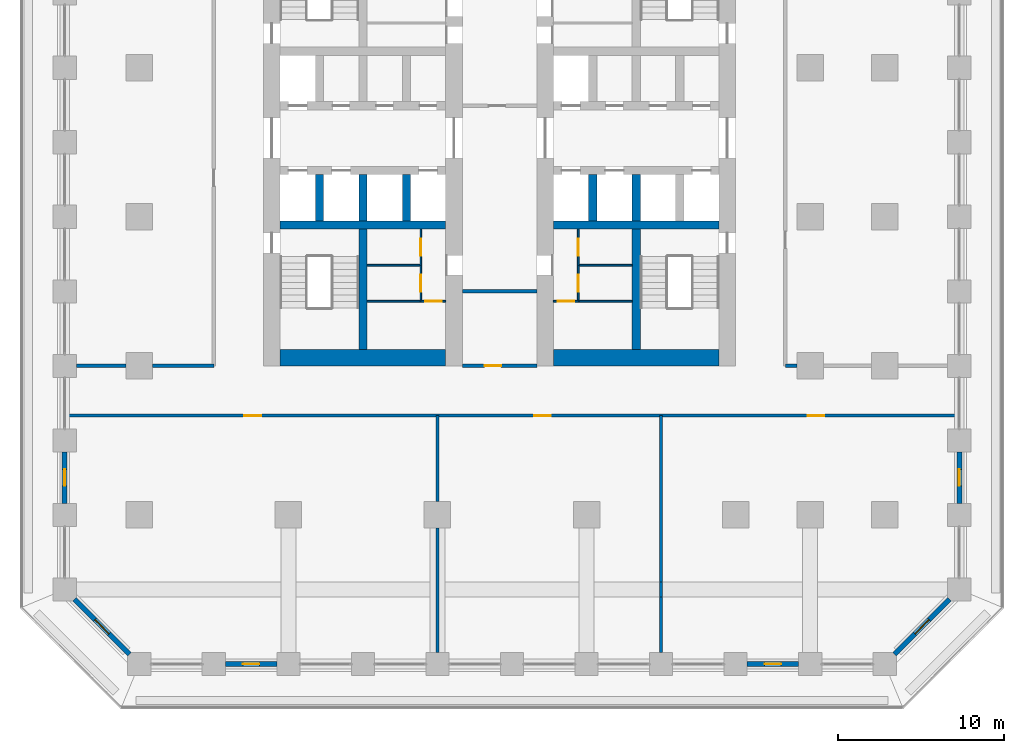
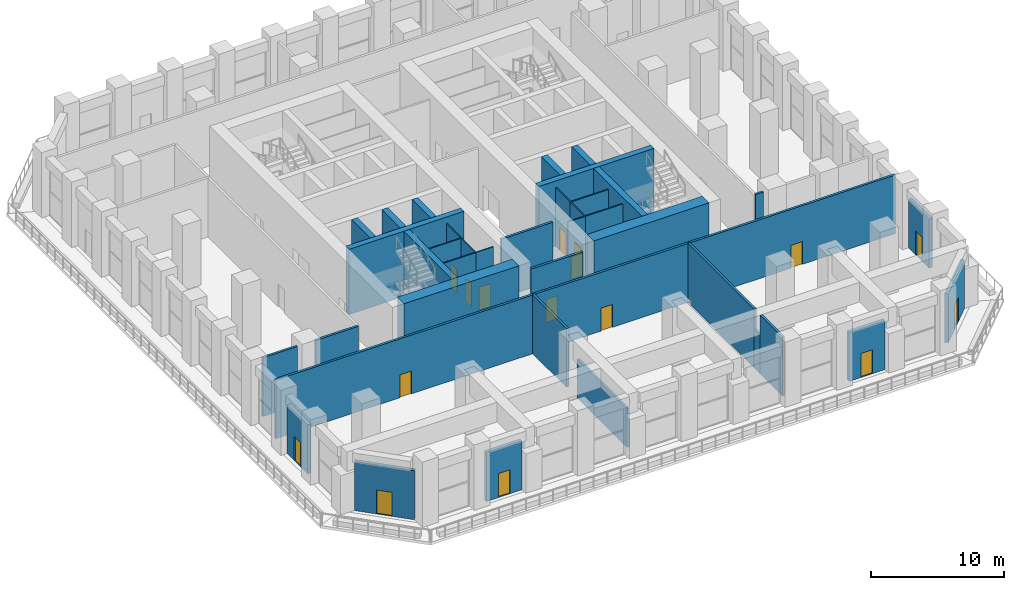
# One storey, part 11 of 19: 38 walls, 16 doors, 16 openings.
"""IFC4 building model written with IfcOpenShell, lengths in metres."""

from ifc_helpers import new_model, si_unit, direction, frame, frame_2d, origin, place, context, subcontext, project, spatial, rectangle, extrude, material, layer, layer_set, type_object, element, fill, save


model = new_model("IFC4")

# Units and contexts
model_context = context("Model", 3, precision=1e-05, world=origin(), true_north=direction((0.0, 1.0)))
body_context = subcontext(model_context, "Body", "Model", "MODEL_VIEW")
ifc_project = project(units=[si_unit("LENGTHUNIT", "METRE"), si_unit("AREAUNIT", "SQUARE_METRE"), si_unit("VOLUMEUNIT", "CUBIC_METRE"), si_unit("PLANEANGLEUNIT", "RADIAN"), si_unit("MASSUNIT", "GRAM", prefix="KILO")], contexts=[model_context])

# Site, building, storey
site_placement = place(None, origin())
site = spatial("IfcSite", under=ifc_project, at=site_placement, CompositionType="ELEMENT")
building_placement = place(site_placement, origin())
building = spatial("IfcBuilding", under=site, at=building_placement, Name="Corbel Stack Research Tower", CompositionType="ELEMENT")
storey_placement = place(building_placement, frame((0.0, 0.0, 70.60009765625)))
storey = spatial("IfcBuildingStorey", under=building, at=storey_placement, Name="L16", CompositionType="ELEMENT", Elevation=70.60009765625)

# Walls
ifc_material_1 = material(Name="Concrete C70/85", Category="concrete")
ifc_layer_1 = layer(ifc_material_1, 1.0)
ifc_layer_set_1 = layer_set([ifc_layer_1], Name="Concrete C70/85")
wall_type_1 = type_object("IfcWallType", Name="CW-1000-70", PredefinedType="SHEAR", material=ifc_layer_set_1)
for number, where, z_axis, x_axis, name in (
    (1, (-9.5, -8.5, 0.0), (0.0, 0.0, 1.0), (1.0, 0.0, 0.0), "West core wall, south end L16"),
    (2, (7.0, -8.5, 0.0), (0.0, 0.0, 1.0), (1.0, 0.0, 0.0), "East core wall, south end L16"),
):
    element("IfcWall", number, at=place(storey_placement, frame(where, z_axis=z_axis, x_axis=x_axis)), inside=storey, type_object=wall_type_1, Name=name, PredefinedType="SHEAR", context=body_context, shape_type="SweptSolid", body=[
        extrude(rectangle(XDim=10.0, YDim=1.0, at=frame_2d((5.0, 0.0))), origin(), (0.0, 0.0, 1.0), 6.0),
    ])
ifc_material_2 = material(Name="Concrete C70/85", Category="concrete")
ifc_layer_2 = layer(ifc_material_2, 0.5)
ifc_layer_set_2 = layer_set([ifc_layer_2], Name="Concrete C70/85")
wall_type_2 = type_object("IfcWallType", Name="CW-500-70", PredefinedType="SHEAR", material=ifc_layer_set_2)
wall_1_placement = place(storey_placement, frame((-9.5, -0.5, 0.0), z_axis=(0.0, 0.0, 1.0), x_axis=(1.0, 0.0, 0.0)))
element("IfcWall", 3, at=wall_1_placement, inside=storey, type_object=wall_type_2, Name="West core wall, south row back L16", PredefinedType="SHEAR", context=body_context, shape_type="SweptSolid", body=[
    extrude(rectangle(XDim=10.0, YDim=0.5, at=frame_2d((5.0, 0.0))), origin(), (0.0, 0.0, 1.0), 6.0),
])
for number, where, z_axis, x_axis, name in (
    (4, (-7.125, -0.25, 0.0), (0.0, 0.0, 1.0), (0.0, 1.0, 0.0), "West core wall, south shaft 1 L16"),
    (5, (-4.5, -0.25, 0.0), (0.0, 0.0, 1.0), (0.0, 1.0, 0.0), "West core wall, south shaft 2 L16"),
    (6, (-1.875, -0.25, 0.0), (0.0, 0.0, 1.0), (0.0, 1.0, 0.0), "West core wall, south shaft 3 L16"),
):
    element("IfcWall", number, at=place(storey_placement, frame(where, z_axis=z_axis, x_axis=x_axis)), inside=storey, type_object=wall_type_2, Name=name, PredefinedType="SHEAR", context=body_context, shape_type="SweptSolid", body=[
        extrude(rectangle(XDim=2.800048828125, YDim=0.5, at=frame_2d((1.39990234375, 0.0))), origin(), (0.0, 0.0, 1.0), 6.0),
    ])
wall_2_placement = place(storey_placement, frame((-4.5, -8.0, 0.0), z_axis=(0.0, 0.0, 1.0), x_axis=(0.0, 1.0, 0.0)))
element("IfcWall", 7, at=wall_2_placement, inside=storey, type_object=wall_type_2, Name="West core wall, south stair and WC L16", PredefinedType="SHEAR", context=body_context, shape_type="SweptSolid", body=[
    extrude(rectangle(XDim=7.25, YDim=0.5, at=frame_2d((3.625, 0.0))), origin(), (0.0, 0.0, 1.0), 6.0),
])
wall_3_placement = place(storey_placement, frame((7.0, -0.5, 0.0), z_axis=(0.0, 0.0, 1.0), x_axis=(1.0, 0.0, 0.0)))
element("IfcWall", 8, at=wall_3_placement, inside=storey, type_object=wall_type_2, Name="East core wall, south row back L16", PredefinedType="SHEAR", context=body_context, shape_type="SweptSolid", body=[
    extrude(rectangle(XDim=10.0, YDim=0.5, at=frame_2d((5.0, 0.0))), origin(), (0.0, 0.0, 1.0), 6.0),
])
for number, where, z_axis, x_axis, name in (
    (9, (9.375, -0.25, 0.0), (0.0, 0.0, 1.0), (0.0, 1.0, 0.0), "East core wall, south shaft 1 L16"),
    (10, (12.0, -0.25, 0.0), (0.0, 0.0, 1.0), (0.0, 1.0, 0.0), "East core wall, south shaft 2 L16"),
):
    element("IfcWall", number, at=place(storey_placement, frame(where, z_axis=z_axis, x_axis=x_axis)), inside=storey, type_object=wall_type_2, Name=name, PredefinedType="SHEAR", context=body_context, shape_type="SweptSolid", body=[
        extrude(rectangle(XDim=2.800048828125, YDim=0.5, at=frame_2d((1.39990234375, 0.0))), origin(), (0.0, 0.0, 1.0), 6.0),
    ])
wall_4_placement = place(storey_placement, frame((12.0, -8.0, 0.0), z_axis=(0.0, 0.0, 1.0), x_axis=(0.0, 1.0, 0.0)))
element("IfcWall", 11, at=wall_4_placement, inside=storey, type_object=wall_type_2, Name="East core wall, south stair and WC L16", PredefinedType="SHEAR", context=body_context, shape_type="SweptSolid", body=[
    extrude(rectangle(XDim=7.25, YDim=0.5, at=frame_2d((3.625, 0.0))), origin(), (0.0, 0.0, 1.0), 6.0),
])

# Wall, opening, door
ifc_material_3 = material(Name="Gypsum board")
ifc_layer_3 = layer(ifc_material_3, 0.10009765625)
ifc_layer_set_3 = layer_set([ifc_layer_3], Name="Gypsum board")
wall_type_3 = type_object("IfcWallType", Name="Core partition 100", PredefinedType="PARTITIONING", material=ifc_layer_set_3)
wall_5_placement = place(storey_placement, frame((-1.0, -5.10009765625, 0.0), z_axis=(0.0, 0.0, 1.0), x_axis=(1.0, 0.0, 0.0)))
wall_5 = element("IfcWall", 12, at=wall_5_placement, inside=storey, type_object=wall_type_3, Name="Core partition W", PredefinedType="PARTITIONING", context=body_context, shape_type="SweptSolid", body=[
    extrude(rectangle(XDim=1.5, YDim=0.10009765625, at=frame_2d((0.75, 0.0))), origin(), (0.0, 0.0, 1.0), 5.39990234375),
])
opening_1_placement = place(wall_5_placement, frame((0.25, 0.0, 0.0)))
opening_1 = element("IfcOpeningElement", 13, at=opening_1_placement, cuts=wall_5, Name="Opening CR-W66-W2-1000", PredefinedType="OPENING", context=body_context, shape_type="SweptSolid", body=[
    extrude(rectangle(XDim=1.0, YDim=2.10009765625, at=frame_2d((0.5, 1.050048828125))), frame((0.0, 0.06005859375, 0.0), z_axis=(0.0, -1.0, 0.0), x_axis=(1.0, 0.0, 0.0)), (0.0, 0.0, 1.0), 0.1201171875),
])
ifc_material_4 = material(Name="Painted timber door", Category="wood")
door_type_1 = type_object("IfcDoorType", Name="WC door 1000 x 2100 right hand", OperationType="SINGLE_SWING_RIGHT", PredefinedType="DOOR", material=ifc_material_4)
door_1_placement = place(opening_1_placement, origin())
door_1 = element("IfcDoor", 14, at=door_1_placement, inside=storey, type_object=door_type_1, Name="Accessible WC door W core", OperationType="SINGLE_SWING_RIGHT", OverallHeight=2.10009765625, OverallWidth=1.0, PredefinedType="DOOR", context=body_context, shape_type="SweptSolid", body=[
    extrude(rectangle(XDim=1.0, YDim=2.10009765625, at=frame_2d((0.5, 1.050048828125))), frame((0.0, 0.02490234375, 0.0), z_axis=(0.0, -1.0, 0.0), x_axis=(1.0, 0.0, 0.0)), (0.0, 0.0, 1.0), 0.050048828125),
])
fill(opening_1, door_1)

wall_6_placement = place(storey_placement, frame((-1.0, -5.10009765625, 0.0), z_axis=(0.0, 0.0, 1.0), x_axis=(0.0, 1.0, 0.0)))
wall_6 = element("IfcWall", 15, at=wall_6_placement, inside=storey, type_object=wall_type_3, Name="Core partition W", PredefinedType="PARTITIONING", context=body_context, shape_type="SweptSolid", body=[
    extrude(rectangle(XDim=2.175048828125, YDim=0.10009765625, at=frame_2d((1.08740234375, 0.0))), origin(), (0.0, 0.0, 1.0), 5.39990234375),
])
opening_2_placement = place(wall_6_placement, frame((0.58740234375, 0.0, 0.0)))
opening_2 = element("IfcOpeningElement", 16, at=opening_2_placement, cuts=wall_6, Name="Opening CR-W66-W3-1000", PredefinedType="OPENING", context=body_context, shape_type="SweptSolid", body=[
    extrude(rectangle(XDim=1.0, YDim=2.10009765625, at=frame_2d((0.5, 1.050048828125))), frame((0.0, 0.06005859375, 0.0), z_axis=(0.0, -1.0, 0.0), x_axis=(1.0, 0.0, 0.0)), (0.0, 0.0, 1.0), 0.1201171875),
])
ifc_material_5 = material(Name="Painted timber door", Category="wood")
door_type_2 = type_object("IfcDoorType", Name="WC door 1000 x 2100 left hand", OperationType="SINGLE_SWING_LEFT", PredefinedType="DOOR", material=ifc_material_5)
door_2_placement = place(opening_2_placement, origin())
door_2 = element("IfcDoor", 17, at=door_2_placement, inside=storey, type_object=door_type_2, Name="Men's WC door W core", OperationType="SINGLE_SWING_LEFT", OverallHeight=2.10009765625, OverallWidth=1.0, PredefinedType="DOOR", context=body_context, shape_type="SweptSolid", body=[
    extrude(rectangle(XDim=1.0, YDim=2.10009765625, at=frame_2d((0.5, 1.050048828125))), frame((0.0, 0.02490234375, 0.0), z_axis=(0.0, -1.0, 0.0), x_axis=(1.0, 0.0, 0.0)), (0.0, 0.0, 1.0), 0.050048828125),
])
fill(opening_2, door_2)

wall_7_placement = place(storey_placement, frame((-1.0, -2.925048828125, 0.0), z_axis=(0.0, 0.0, 1.0), x_axis=(0.0, 1.0, 0.0)))
wall_7 = element("IfcWall", 18, at=wall_7_placement, inside=storey, type_object=wall_type_3, Name="Core partition W", PredefinedType="PARTITIONING", context=body_context, shape_type="SweptSolid", body=[
    extrude(rectangle(XDim=2.175048828125, YDim=0.10009765625, at=frame_2d((1.08740234375, 0.0))), origin(), (0.0, 0.0, 1.0), 5.39990234375),
])
opening_3_placement = place(wall_7_placement, frame((0.58740234375, 0.0, 0.0)))
opening_3 = element("IfcOpeningElement", 19, at=opening_3_placement, cuts=wall_7, Name="Opening CR-W66-W4-1000", PredefinedType="OPENING", context=body_context, shape_type="SweptSolid", body=[
    extrude(rectangle(XDim=1.0, YDim=2.10009765625, at=frame_2d((0.5, 1.050048828125))), frame((0.0, 0.06005859375, 0.0), z_axis=(0.0, -1.0, 0.0), x_axis=(1.0, 0.0, 0.0)), (0.0, 0.0, 1.0), 0.1201171875),
])
door_3_placement = place(opening_3_placement, origin())
door_3 = element("IfcDoor", 20, at=door_3_placement, inside=storey, type_object=door_type_1, Name="Women's WC door W core", OperationType="SINGLE_SWING_RIGHT", OverallHeight=2.10009765625, OverallWidth=1.0, PredefinedType="DOOR", context=body_context, shape_type="SweptSolid", body=[
    extrude(rectangle(XDim=1.0, YDim=2.10009765625, at=frame_2d((0.5, 1.050048828125))), frame((0.0, 0.02490234375, 0.0), z_axis=(0.0, -1.0, 0.0), x_axis=(1.0, 0.0, 0.0)), (0.0, 0.0, 1.0), 0.050048828125),
])
fill(opening_3, door_3)

# Walls
for number, where, z_axis, x_axis, name in (
    (21, (-4.25, -5.10009765625, 0.0), (0.0, 0.0, 1.0), (1.0, 0.0, 0.0), "Core partition W"),
    (22, (-4.25, -2.925048828125, 0.0), (0.0, 0.0, 1.0), (1.0, 0.0, 0.0), "Core partition W"),
):
    element("IfcWall", number, at=place(storey_placement, frame(where, z_axis=z_axis, x_axis=x_axis)), inside=storey, type_object=wall_type_3, Name=name, PredefinedType="PARTITIONING", context=body_context, shape_type="SweptSolid", body=[
        extrude(rectangle(XDim=3.25, YDim=0.10009765625, at=frame_2d((1.625, 0.0))), origin(), (0.0, 0.0, 1.0), 5.39990234375),
    ])

# Wall, opening, door
wall_8_placement = place(storey_placement, frame((7.0, -5.10009765625, 0.0), z_axis=(0.0, 0.0, 1.0), x_axis=(1.0, 0.0, 0.0)))
wall_8 = element("IfcWall", 23, at=wall_8_placement, inside=storey, type_object=wall_type_3, Name="Core partition E", PredefinedType="PARTITIONING", context=body_context, shape_type="SweptSolid", body=[
    extrude(rectangle(XDim=1.5, YDim=0.10009765625, at=frame_2d((0.75, 0.0))), origin(), (0.0, 0.0, 1.0), 5.39990234375),
])
opening_4_placement = place(wall_8_placement, frame((0.25, 0.0, 0.0)))
opening_4 = element("IfcOpeningElement", 24, at=opening_4_placement, cuts=wall_8, Name="Opening CR-E66-W2-1000", PredefinedType="OPENING", context=body_context, shape_type="SweptSolid", body=[
    extrude(rectangle(XDim=1.0, YDim=2.10009765625, at=frame_2d((0.5, 1.050048828125))), frame((0.0, 0.06005859375, 0.0), z_axis=(0.0, -1.0, 0.0), x_axis=(1.0, 0.0, 0.0)), (0.0, 0.0, 1.0), 0.1201171875),
])
door_4_placement = place(opening_4_placement, origin())
door_4 = element("IfcDoor", 25, at=door_4_placement, inside=storey, type_object=door_type_2, Name="Accessible WC door E core", OperationType="SINGLE_SWING_LEFT", OverallHeight=2.10009765625, OverallWidth=1.0, PredefinedType="DOOR", context=body_context, shape_type="SweptSolid", body=[
    extrude(rectangle(XDim=1.0, YDim=2.10009765625, at=frame_2d((0.5, 1.050048828125))), frame((0.0, 0.02490234375, 0.0), z_axis=(0.0, -1.0, 0.0), x_axis=(1.0, 0.0, 0.0)), (0.0, 0.0, 1.0), 0.050048828125),
])
fill(opening_4, door_4)

wall_9_placement = place(storey_placement, frame((8.5, -5.10009765625, 0.0), z_axis=(0.0, 0.0, 1.0), x_axis=(0.0, 1.0, 0.0)))
wall_9 = element("IfcWall", 26, at=wall_9_placement, inside=storey, type_object=wall_type_3, Name="Core partition E", PredefinedType="PARTITIONING", context=body_context, shape_type="SweptSolid", body=[
    extrude(rectangle(XDim=2.175048828125, YDim=0.10009765625, at=frame_2d((1.08740234375, 0.0))), origin(), (0.0, 0.0, 1.0), 5.39990234375),
])
opening_5_placement = place(wall_9_placement, frame((0.58740234375, 0.0, 0.0)))
opening_5 = element("IfcOpeningElement", 27, at=opening_5_placement, cuts=wall_9, Name="Opening CR-E66-W3-1000", PredefinedType="OPENING", context=body_context, shape_type="SweptSolid", body=[
    extrude(rectangle(XDim=1.0, YDim=2.10009765625, at=frame_2d((0.5, 1.050048828125))), frame((0.0, 0.06005859375, 0.0), z_axis=(0.0, -1.0, 0.0), x_axis=(1.0, 0.0, 0.0)), (0.0, 0.0, 1.0), 0.1201171875),
])
door_5_placement = place(opening_5_placement, origin())
door_5 = element("IfcDoor", 28, at=door_5_placement, inside=storey, type_object=door_type_1, Name="Men's WC door E core", OperationType="SINGLE_SWING_RIGHT", OverallHeight=2.10009765625, OverallWidth=1.0, PredefinedType="DOOR", context=body_context, shape_type="SweptSolid", body=[
    extrude(rectangle(XDim=1.0, YDim=2.10009765625, at=frame_2d((0.5, 1.050048828125))), frame((0.0, 0.02490234375, 0.0), z_axis=(0.0, -1.0, 0.0), x_axis=(1.0, 0.0, 0.0)), (0.0, 0.0, 1.0), 0.050048828125),
])
fill(opening_5, door_5)

wall_10_placement = place(storey_placement, frame((8.5, -2.925048828125, 0.0), z_axis=(0.0, 0.0, 1.0), x_axis=(0.0, 1.0, 0.0)))
wall_10 = element("IfcWall", 29, at=wall_10_placement, inside=storey, type_object=wall_type_3, Name="Core partition E", PredefinedType="PARTITIONING", context=body_context, shape_type="SweptSolid", body=[
    extrude(rectangle(XDim=2.175048828125, YDim=0.10009765625, at=frame_2d((1.08740234375, 0.0))), origin(), (0.0, 0.0, 1.0), 5.39990234375),
])
opening_6_placement = place(wall_10_placement, frame((0.58740234375, 0.0, 0.0)))
opening_6 = element("IfcOpeningElement", 30, at=opening_6_placement, cuts=wall_10, Name="Opening CR-E66-W4-1000", PredefinedType="OPENING", context=body_context, shape_type="SweptSolid", body=[
    extrude(rectangle(XDim=1.0, YDim=2.10009765625, at=frame_2d((0.5, 1.050048828125))), frame((0.0, 0.06005859375, 0.0), z_axis=(0.0, -1.0, 0.0), x_axis=(1.0, 0.0, 0.0)), (0.0, 0.0, 1.0), 0.1201171875),
])
door_6_placement = place(opening_6_placement, origin())
door_6 = element("IfcDoor", 31, at=door_6_placement, inside=storey, type_object=door_type_2, Name="Women's WC door E core", OperationType="SINGLE_SWING_LEFT", OverallHeight=2.10009765625, OverallWidth=1.0, PredefinedType="DOOR", context=body_context, shape_type="SweptSolid", body=[
    extrude(rectangle(XDim=1.0, YDim=2.10009765625, at=frame_2d((0.5, 1.050048828125))), frame((0.0, 0.02490234375, 0.0), z_axis=(0.0, -1.0, 0.0), x_axis=(1.0, 0.0, 0.0)), (0.0, 0.0, 1.0), 0.050048828125),
])
fill(opening_6, door_6)

# Walls
for number, where, z_axis, x_axis, name in (
    (32, (8.5, -5.10009765625, 0.0), (0.0, 0.0, 1.0), (1.0, 0.0, 0.0), "Core partition E"),
    (33, (8.5, -2.925048828125, 0.0), (0.0, 0.0, 1.0), (1.0, 0.0, 0.0), "Core partition E"),
):
    element("IfcWall", number, at=place(storey_placement, frame(where, z_axis=z_axis, x_axis=x_axis)), inside=storey, type_object=wall_type_3, Name=name, PredefinedType="PARTITIONING", context=body_context, shape_type="SweptSolid", body=[
        extrude(rectangle(XDim=3.25, YDim=0.10009765625, at=frame_2d((1.625, 0.0))), origin(), (0.0, 0.0, 1.0), 5.39990234375),
    ])
ifc_material_6 = material(Name="Fire-rated gypsum board partition on steel studs", Category="steel")
ifc_layer_4 = layer(ifc_material_6, 0.199951171875)
ifc_layer_set_4 = layer_set([ifc_layer_4], Name="Fire-rated gypsum board partition on steel studs")
wall_type_4 = type_object("IfcWallType", Name="Fire-rated partition 200 EI 60", PredefinedType="PARTITIONING", material=ifc_layer_set_4)
wall_11_placement = place(storey_placement, frame((0.0, -26.300048828125, 0.0), z_axis=(0.0, 0.0, 1.0), x_axis=(0.0, 1.0, 0.0)))
element("IfcWall", 34, at=wall_11_placement, inside=storey, type_object=wall_type_4, Name="Partition L16-002", PredefinedType="PARTITIONING", context=body_context, shape_type="SweptSolid", body=[
    extrude(rectangle(XDim=7.5, YDim=0.199951171875, at=frame_2d((3.75, 0.0))), origin(), (0.0, 0.0, 1.0), 3.56982421875),
])
wall_12_placement = place(storey_placement, frame((0.0, -17.199951171875, 0.0), z_axis=(0.0, 0.0, 1.0), x_axis=(0.0, 1.0, 0.0)))
element("IfcWall", 35, at=wall_12_placement, inside=storey, type_object=wall_type_4, Name="Partition L16-003", PredefinedType="PARTITIONING", context=body_context, shape_type="SweptSolid", body=[
    extrude(rectangle(XDim=5.199951171875, YDim=0.199951171875, at=frame_2d((2.60009765625, 0.0))), origin(), (0.0, 0.0, 1.0), 5.39990234375),
])
wall_13_placement = place(storey_placement, frame((13.5, -26.300048828125, 0.0), z_axis=(0.0, 0.0, 1.0), x_axis=(0.0, 1.0, 0.0)))
element("IfcWall", 36, at=wall_13_placement, inside=storey, type_object=wall_type_4, Name="Partition L16-005", PredefinedType="PARTITIONING", context=body_context, shape_type="SweptSolid", body=[
    extrude(rectangle(XDim=3.35009765625, YDim=0.199951171875, at=frame_2d((1.675048828125, 0.0))), origin(), (0.0, 0.0, 1.0), 5.39990234375),
])
wall_14_placement = place(storey_placement, frame((13.5, -22.949951171875, 0.0), z_axis=(0.0, 0.0, 1.0), x_axis=(0.0, 1.0, 0.0)))
element("IfcWall", 37, at=wall_14_placement, inside=storey, type_object=wall_type_4, Name="Partition L16-006", PredefinedType="PARTITIONING", context=body_context, shape_type="SweptSolid", body=[
    extrude(rectangle(XDim=0.89990234375, YDim=0.199951171875, at=frame_2d((0.449951171875, 0.0))), origin(), (0.0, 0.0, 1.0), 3.56982421875),
])
wall_15_placement = place(storey_placement, frame((13.5, -22.050048828125, 0.0), z_axis=(0.0, 0.0, 1.0), x_axis=(0.0, 1.0, 0.0)))
element("IfcWall", 38, at=wall_15_placement, inside=storey, type_object=wall_type_4, Name="Partition L16-007", PredefinedType="PARTITIONING", context=body_context, shape_type="SweptSolid", body=[
    extrude(rectangle(XDim=10.050048828125, YDim=0.199951171875, at=frame_2d((5.02490234375, 0.0))), origin(), (0.0, 0.0, 1.0), 5.39990234375),
])

# Wall, openings, doors
wall_16_placement = place(storey_placement, frame((31.419921875, -12.0, 0.0), z_axis=(0.0, 0.0, 1.0), x_axis=(-1.0, 0.0, 0.0)))
wall_16 = element("IfcWall", 39, at=wall_16_placement, inside=storey, type_object=wall_type_4, Name="Partition L16-010", PredefinedType="PARTITIONING", context=body_context, shape_type="SweptSolid", body=[
    extrude(rectangle(XDim=53.83984375, YDim=0.199951171875, at=frame_2d((26.919921875, 0.0))), origin(), (0.0, 0.0, 1.0), 5.39990234375),
])
opening_7_placement = place(wall_16_placement, frame((42.070068359375, 0.0, 0.0)))
opening_7 = element("IfcOpeningElement", 40, at=opening_7_placement, cuts=wall_16, Name="Opening B2AM-002", PredefinedType="OPENING", context=body_context, shape_type="SweptSolid", body=[
    extrude(rectangle(XDim=1.0, YDim=2.10009765625, at=frame_2d((0.5, 1.050048828125))), frame((0.0, 0.10986328125, 0.0), z_axis=(0.0, -1.0, 0.0), x_axis=(1.0, 0.0, 0.0)), (0.0, 0.0, 1.0), 0.219970703125),
])
opening_8_placement = place(wall_16_placement, frame((24.570068359375, 0.0, 0.0)))
opening_8 = element("IfcOpeningElement", 41, at=opening_8_placement, cuts=wall_16, Name="Opening B2AM-003", PredefinedType="OPENING", context=body_context, shape_type="SweptSolid", body=[
    extrude(rectangle(XDim=1.0, YDim=2.10009765625, at=frame_2d((0.5, 1.050048828125))), frame((0.0, 0.10986328125, 0.0), z_axis=(0.0, -1.0, 0.0), x_axis=(1.0, 0.0, 0.0)), (0.0, 0.0, 1.0), 0.219970703125),
])
opening_9_placement = place(wall_16_placement, frame((8.070068359375, 0.0, 0.0)))
opening_9 = element("IfcOpeningElement", 42, at=opening_9_placement, cuts=wall_16, Name="Opening B2AM-004", PredefinedType="OPENING", context=body_context, shape_type="SweptSolid", body=[
    extrude(rectangle(XDim=1.0, YDim=2.10009765625, at=frame_2d((0.5, 1.050048828125))), frame((0.0, 0.10986328125, 0.0), z_axis=(0.0, -1.0, 0.0), x_axis=(1.0, 0.0, 0.0)), (0.0, 0.0, 1.0), 0.219970703125),
])
ifc_material_7 = material(Name="Painted steel fire door", Category="steel")
door_type_3 = type_object("IfcDoorType", Name="Fire door FD30S 1000 x 2100", OperationType="NOTDEFINED", PredefinedType="DOOR", material=ifc_material_7)
door_7_placement = place(opening_7_placement, origin())
door_7 = element("IfcDoor", 43, at=door_7_placement, inside=storey, type_object=door_type_3, Name="Door B2AM-002", OperationType="SINGLE_SWING_RIGHT", OverallHeight=2.10009765625, OverallWidth=1.0, PredefinedType="DOOR", context=body_context, shape_type="SweptSolid", body=[
    extrude(rectangle(XDim=1.0, YDim=2.10009765625, at=frame_2d((0.5, 1.050048828125))), frame((0.0, 0.02490234375, 0.0), z_axis=(0.0, -1.0, 0.0), x_axis=(1.0, 0.0, 0.0)), (0.0, 0.0, 1.0), 0.050048828125),
])
fill(opening_7, door_7)
door_8_placement = place(opening_8_placement, origin())
door_8 = element("IfcDoor", 44, at=door_8_placement, inside=storey, type_object=door_type_3, Name="Door B2AM-003", OperationType="SINGLE_SWING_LEFT", OverallHeight=2.10009765625, OverallWidth=1.0, PredefinedType="DOOR", context=body_context, shape_type="SweptSolid", body=[
    extrude(rectangle(XDim=1.0, YDim=2.10009765625, at=frame_2d((0.5, 1.050048828125))), frame((0.0, 0.02490234375, 0.0), z_axis=(0.0, -1.0, 0.0), x_axis=(1.0, 0.0, 0.0)), (0.0, 0.0, 1.0), 0.050048828125),
])
fill(opening_8, door_8)
door_9_placement = place(opening_9_placement, origin())
door_9 = element("IfcDoor", 45, at=door_9_placement, inside=storey, type_object=door_type_3, Name="Door B2AM-004", OperationType="SINGLE_SWING_LEFT", OverallHeight=2.10009765625, OverallWidth=1.0, PredefinedType="DOOR", context=body_context, shape_type="SweptSolid", body=[
    extrude(rectangle(XDim=1.0, YDim=2.10009765625, at=frame_2d((0.5, 1.050048828125))), frame((0.0, 0.02490234375, 0.0), z_axis=(0.0, -1.0, 0.0), x_axis=(1.0, 0.0, 0.0)), (0.0, 0.0, 1.0), 0.050048828125),
])
fill(opening_9, door_9)

# Walls
wall_17_placement = place(storey_placement, frame((-21.800048828125, -9.0, 0.0), z_axis=(0.0, 0.0, 1.0), x_axis=(1.0, 0.0, 0.0)))
element("IfcWall", 46, at=wall_17_placement, inside=storey, type_object=wall_type_4, Name="Partition L16-011", PredefinedType="PARTITIONING", context=body_context, shape_type="SweptSolid", body=[
    extrude(rectangle(XDim=3.0, YDim=0.199951171875, at=frame_2d((1.5, 0.0))), origin(), (0.0, 0.0, 1.0), 5.39990234375),
])
wall_18_placement = place(storey_placement, frame((-17.199951171875, -9.0, 0.0), z_axis=(0.0, 0.0, 1.0), x_axis=(1.0, 0.0, 0.0)))
element("IfcWall", 47, at=wall_18_placement, inside=storey, type_object=wall_type_4, Name="Partition L16-012", PredefinedType="PARTITIONING", context=body_context, shape_type="SweptSolid", body=[
    extrude(rectangle(XDim=3.699951171875, YDim=0.199951171875, at=frame_2d((1.85009765625, 0.0))), origin(), (0.0, 0.0, 1.0), 5.39990234375),
])

# Wall, opening, door
wall_19_placement = place(storey_placement, frame((1.5, -9.0, 0.0), z_axis=(0.0, 0.0, 1.0), x_axis=(1.0, 0.0, 0.0)))
wall_19 = element("IfcWall", 48, at=wall_19_placement, inside=storey, type_object=wall_type_4, Name="Partition L16-013", PredefinedType="PARTITIONING", context=body_context, shape_type="SweptSolid", body=[
    extrude(rectangle(XDim=4.5, YDim=0.199951171875, at=frame_2d((2.25, 0.0))), origin(), (0.0, 0.0, 1.0), 5.39990234375),
])
opening_10_placement = place(wall_19_placement, frame((1.35009765625, 0.0, 0.0)))
opening_10 = element("IfcOpeningElement", 49, at=opening_10_placement, cuts=wall_19, Name="Opening B2AM-005", PredefinedType="OPENING", context=body_context, shape_type="SweptSolid", body=[
    extrude(rectangle(XDim=1.0, YDim=2.10009765625, at=frame_2d((0.5, 1.050048828125))), frame((0.0, 0.10986328125, 0.0), z_axis=(0.0, -1.0, 0.0), x_axis=(1.0, 0.0, 0.0)), (0.0, 0.0, 1.0), 0.219970703125),
])
door_10_placement = place(opening_10_placement, origin())
door_10 = element("IfcDoor", 50, at=door_10_placement, inside=storey, type_object=door_type_3, Name="Door B2AM-005", OperationType="SINGLE_SWING_LEFT", OverallHeight=2.10009765625, OverallWidth=1.0, PredefinedType="DOOR", context=body_context, shape_type="SweptSolid", body=[
    extrude(rectangle(XDim=1.0, YDim=2.10009765625, at=frame_2d((0.5, 1.050048828125))), frame((0.0, 0.02490234375, 0.0), z_axis=(0.0, -1.0, 0.0), x_axis=(1.0, 0.0, 0.0)), (0.0, 0.0, 1.0), 0.050048828125),
])
fill(opening_10, door_10)

# Walls
wall_20_placement = place(storey_placement, frame((21.0, -9.0, 0.0), z_axis=(0.0, 0.0, 1.0), x_axis=(1.0, 0.0, 0.0)))
element("IfcWall", 51, at=wall_20_placement, inside=storey, type_object=wall_type_4, Name="Partition L16-014", PredefinedType="PARTITIONING", context=body_context, shape_type="SweptSolid", body=[
    extrude(rectangle(XDim=0.699951171875, YDim=0.199951171875, at=frame_2d((0.35009765625, 0.0))), origin(), (0.0, 0.0, 1.0), 5.39990234375),
])
wall_21_placement = place(storey_placement, frame((1.5, -4.5, 0.0), z_axis=(0.0, 0.0, 1.0), x_axis=(1.0, 0.0, 0.0)))
element("IfcWall", 52, at=wall_21_placement, inside=storey, type_object=wall_type_4, Name="Partition L16-017", PredefinedType="PARTITIONING", context=body_context, shape_type="SweptSolid", body=[
    extrude(rectangle(XDim=4.5, YDim=0.199951171875, at=frame_2d((2.25, 0.0))), origin(), (0.0, 0.0, 1.0), 5.39990234375),
])

# Wall, opening, door
ifc_material_8 = material(Name="Concrete C45/55", Category="concrete")
ifc_layer_5 = layer(ifc_material_8, 0.300048828125)
ifc_layer_set_5 = layer_set([ifc_layer_5], Name="Concrete C45/55")
wall_type_5 = type_object("IfcWallType", Name="Terracotta-faced concrete wall 300", PredefinedType="SOLIDWALL", material=ifc_layer_set_5)
wall_22_placement = place(storey_placement, frame((-9.699951171875, -27.0, 0.0), z_axis=(0.0, 0.0, 1.0), x_axis=(-1.0, 0.0, 0.0)))
wall_22 = element("IfcWall", 53, at=wall_22_placement, inside=storey, type_object=wall_type_5, Name="Facade wall L16 S02", PredefinedType="SOLIDWALL", context=body_context, shape_type="SweptSolid", body=[
    extrude(rectangle(XDim=3.10009765625, YDim=0.300048828125, at=frame_2d((1.550048828125, 0.0))), origin(), (0.0, 0.0, 1.0), 4.5),
])
opening_11_placement = place(wall_22_placement, frame((1.050048828125, 0.0, 0.0)))
opening_11 = element("IfcOpeningElement", 54, at=opening_11_placement, cuts=wall_22, Name="Opening L16-B01", PredefinedType="OPENING", context=body_context, shape_type="SweptSolid", body=[
    extrude(rectangle(XDim=1.0, YDim=2.199951171875, at=frame_2d((0.5, 1.10009765625))), frame((0.0, 0.159912109375, 0.0), z_axis=(0.0, -1.0, 0.0), x_axis=(1.0, 0.0, 0.0)), (0.0, 0.0, 1.0), 0.320068359375),
])
ifc_material_9 = material(Name="Aluminium frame, clear double glazing", Category="aluminium")
door_type_4 = type_object("IfcDoorType", Name="Balcony door BD1 1000 x 2200", OperationType="NOTDEFINED", PredefinedType="DOOR", material=ifc_material_9)
door_11_placement = place(opening_11_placement, origin())
door_11 = element("IfcDoor", 55, at=door_11_placement, inside=storey, type_object=door_type_4, Name="Balcony door L16-B01", OperationType="SINGLE_SWING_RIGHT", OverallHeight=2.199951171875, OverallWidth=1.0, PredefinedType="DOOR", context=body_context, shape_type="SweptSolid", body=[
    extrude(rectangle(XDim=1.0, YDim=2.199951171875, at=frame_2d((0.5, 1.10009765625))), frame((0.0, 0.02490234375, 0.0), z_axis=(0.0, -1.0, 0.0), x_axis=(1.0, 0.0, 0.0)), (0.0, 0.0, 1.0), 0.050048828125),
])
fill(opening_11, door_11)

wall_23_placement = place(storey_placement, frame((21.800048828125, -27.0, 0.0), z_axis=(0.0, 0.0, 1.0), x_axis=(-1.0, 0.0, 0.0)))
wall_23 = element("IfcWall", 56, at=wall_23_placement, inside=storey, type_object=wall_type_5, Name="Facade wall L16 S09", PredefinedType="SOLIDWALL", context=body_context, shape_type="SweptSolid", body=[
    extrude(rectangle(XDim=3.10009765625, YDim=0.300048828125, at=frame_2d((1.550048828125, 0.0))), origin(), (0.0, 0.0, 1.0), 4.5),
])
opening_12_placement = place(wall_23_placement, frame((1.050048828125, 0.0, 0.0)))
opening_12 = element("IfcOpeningElement", 57, at=opening_12_placement, cuts=wall_23, Name="Opening L16-B02", PredefinedType="OPENING", context=body_context, shape_type="SweptSolid", body=[
    extrude(rectangle(XDim=1.0, YDim=2.199951171875, at=frame_2d((0.5, 1.10009765625))), frame((0.0, 0.159912109375, 0.0), z_axis=(0.0, -1.0, 0.0), x_axis=(1.0, 0.0, 0.0)), (0.0, 0.0, 1.0), 0.320068359375),
])
door_12_placement = place(opening_12_placement, origin())
door_12 = element("IfcDoor", 58, at=door_12_placement, inside=storey, type_object=door_type_4, Name="Balcony door L16-B02", OperationType="SINGLE_SWING_LEFT", OverallHeight=2.199951171875, OverallWidth=1.0, PredefinedType="DOOR", context=body_context, shape_type="SweptSolid", body=[
    extrude(rectangle(XDim=1.0, YDim=2.199951171875, at=frame_2d((0.5, 1.10009765625))), frame((0.0, 0.02490234375, 0.0), z_axis=(0.0, -1.0, 0.0), x_axis=(1.0, 0.0, 0.0)), (0.0, 0.0, 1.0), 0.050048828125),
])
fill(opening_12, door_12)

wall_24_placement = place(storey_placement, frame((30.906005859375, -23.093994140625, 0.0), z_axis=(0.0, 0.0, 1.0), x_axis=(-0.707106781187, -0.707106781187, 0.0)))
wall_24 = element("IfcWall", 59, at=wall_24_placement, inside=storey, type_object=wall_type_5, Name="Facade wall L16 SE01", PredefinedType="SOLIDWALL", context=body_context, shape_type="SweptSolid", body=[
    extrude(rectangle(XDim=4.683837890625, YDim=0.300048828125, at=frame_2d((2.341796875, 0.0))), origin(), (0.0, 0.0, 1.0), 4.5),
])
opening_13_placement = place(wall_24_placement, frame((1.741943359375, 0.0, 0.0)))
opening_13 = element("IfcOpeningElement", 60, at=opening_13_placement, cuts=wall_24, Name="Opening L16-B03", PredefinedType="OPENING", context=body_context, shape_type="SweptSolid", body=[
    extrude(rectangle(XDim=1.199951171875, YDim=2.199951171875, at=frame_2d((0.60009765625, 1.10009765625))), frame((0.0, 0.159912109375, 0.0), z_axis=(0.0, -1.0, 0.0), x_axis=(1.0, 0.0, 0.0)), (0.0, 0.0, 1.0), 0.320068359375),
])
ifc_material_10 = material(Name="Aluminium frame, clear double glazing", Category="aluminium")
door_type_5 = type_object("IfcDoorType", Name="Balcony door BD2 1200 x 2200", OperationType="NOTDEFINED", PredefinedType="DOOR", material=ifc_material_10)
door_13_placement = place(opening_13_placement, origin())
door_13 = element("IfcDoor", 61, at=door_13_placement, inside=storey, type_object=door_type_5, Name="Balcony door L16-B03", OperationType="SINGLE_SWING_LEFT", OverallHeight=2.199951171875, OverallWidth=1.199951171875, PredefinedType="DOOR", context=body_context, shape_type="SweptSolid", body=[
    extrude(rectangle(XDim=1.199951171875, YDim=2.199951171875, at=frame_2d((0.60009765625, 1.10009765625))), frame((0.0, 0.02490234375, 0.0), z_axis=(0.0, -1.0, 0.0), x_axis=(1.0, 0.0, 0.0)), (0.0, 0.0, 1.0), 0.050048828125),
])
fill(opening_13, door_13)

wall_25_placement = place(storey_placement, frame((31.5, -14.199951171875, 0.0), z_axis=(0.0, 0.0, 1.0), x_axis=(0.0, -1.0, 0.0)))
wall_25 = element("IfcWall", 62, at=wall_25_placement, inside=storey, type_object=wall_type_5, Name="Facade wall L16 E02", PredefinedType="SOLIDWALL", context=body_context, shape_type="SweptSolid", body=[
    extrude(rectangle(XDim=3.10009765625, YDim=0.300048828125, at=frame_2d((1.550048828125, 0.0))), origin(), (0.0, 0.0, 1.0), 4.5),
])
opening_14_placement = place(wall_25_placement, frame((1.050048828125, 0.0, 0.0)))
opening_14 = element("IfcOpeningElement", 63, at=opening_14_placement, cuts=wall_25, Name="Opening L16-B04", PredefinedType="OPENING", context=body_context, shape_type="SweptSolid", body=[
    extrude(rectangle(XDim=1.0, YDim=2.199951171875, at=frame_2d((0.5, 1.10009765625))), frame((0.0, 0.159912109375, 0.0), z_axis=(0.0, -1.0, 0.0), x_axis=(1.0, 0.0, 0.0)), (0.0, 0.0, 1.0), 0.320068359375),
])
door_14_placement = place(opening_14_placement, origin())
door_14 = element("IfcDoor", 64, at=door_14_placement, inside=storey, type_object=door_type_4, Name="Balcony door L16-B04", OperationType="SINGLE_SWING_RIGHT", OverallHeight=2.199951171875, OverallWidth=1.0, PredefinedType="DOOR", context=body_context, shape_type="SweptSolid", body=[
    extrude(rectangle(XDim=1.0, YDim=2.199951171875, at=frame_2d((0.5, 1.10009765625))), frame((0.0, 0.02490234375, 0.0), z_axis=(0.0, -1.0, 0.0), x_axis=(1.0, 0.0, 0.0)), (0.0, 0.0, 1.0), 0.050048828125),
])
fill(opening_14, door_14)

wall_26_placement = place(storey_placement, frame((-22.5, -17.300048828125, 0.0), z_axis=(0.0, 0.0, 1.0), x_axis=(0.0, 1.0, 0.0)))
wall_26 = element("IfcWall", 65, at=wall_26_placement, inside=storey, type_object=wall_type_5, Name="Facade wall L16 W09", PredefinedType="SOLIDWALL", context=body_context, shape_type="SweptSolid", body=[
    extrude(rectangle(XDim=3.10009765625, YDim=0.300048828125, at=frame_2d((1.550048828125, 0.0))), origin(), (0.0, 0.0, 1.0), 4.5),
])
opening_15_placement = place(wall_26_placement, frame((1.050048828125, 0.0, 0.0)))
opening_15 = element("IfcOpeningElement", 66, at=opening_15_placement, cuts=wall_26, Name="Opening L16-B11", PredefinedType="OPENING", context=body_context, shape_type="SweptSolid", body=[
    extrude(rectangle(XDim=1.0, YDim=2.199951171875, at=frame_2d((0.5, 1.10009765625))), frame((0.0, 0.159912109375, 0.0), z_axis=(0.0, -1.0, 0.0), x_axis=(1.0, 0.0, 0.0)), (0.0, 0.0, 1.0), 0.320068359375),
])
door_15_placement = place(opening_15_placement, origin())
door_15 = element("IfcDoor", 67, at=door_15_placement, inside=storey, type_object=door_type_4, Name="Balcony door L16-B11", OperationType="SINGLE_SWING_LEFT", OverallHeight=2.199951171875, OverallWidth=1.0, PredefinedType="DOOR", context=body_context, shape_type="SweptSolid", body=[
    extrude(rectangle(XDim=1.0, YDim=2.199951171875, at=frame_2d((0.5, 1.10009765625))), frame((0.0, 0.02490234375, 0.0), z_axis=(0.0, -1.0, 0.0), x_axis=(1.0, 0.0, 0.0)), (0.0, 0.0, 1.0), 0.050048828125),
])
fill(opening_15, door_15)

wall_27_placement = place(storey_placement, frame((-18.593994140625, -26.406005859375, 0.0), z_axis=(0.0, 0.0, 1.0), x_axis=(-0.707106781187, 0.707106781187, 0.0)))
wall_27 = element("IfcWall", 68, at=wall_27_placement, inside=storey, type_object=wall_type_5, Name="Facade wall L16 SW01", PredefinedType="SOLIDWALL", context=body_context, shape_type="SweptSolid", body=[
    extrude(rectangle(XDim=4.683837890625, YDim=0.300048828125, at=frame_2d((2.341796875, 0.0))), origin(), (0.0, 0.0, 1.0), 4.5),
])
opening_16_placement = place(wall_27_placement, frame((1.741943359375, 0.0, 0.0)))
opening_16 = element("IfcOpeningElement", 69, at=opening_16_placement, cuts=wall_27, Name="Opening L16-B12", PredefinedType="OPENING", context=body_context, shape_type="SweptSolid", body=[
    extrude(rectangle(XDim=1.199951171875, YDim=2.199951171875, at=frame_2d((0.60009765625, 1.10009765625))), frame((0.0, 0.159912109375, 0.0), z_axis=(0.0, -1.0, 0.0), x_axis=(1.0, 0.0, 0.0)), (0.0, 0.0, 1.0), 0.320068359375),
])
door_16_placement = place(opening_16_placement, origin())
door_16 = element("IfcDoor", 70, at=door_16_placement, inside=storey, type_object=door_type_5, Name="Balcony door L16-B12", OperationType="SINGLE_SWING_LEFT", OverallHeight=2.199951171875, OverallWidth=1.199951171875, PredefinedType="DOOR", context=body_context, shape_type="SweptSolid", body=[
    extrude(rectangle(XDim=1.199951171875, YDim=2.199951171875, at=frame_2d((0.60009765625, 1.10009765625))), frame((0.0, 0.02490234375, 0.0), z_axis=(0.0, -1.0, 0.0), x_axis=(1.0, 0.0, 0.0)), (0.0, 0.0, 1.0), 0.050048828125),
])
fill(opening_16, door_16)

save(model, "model.ifc")
